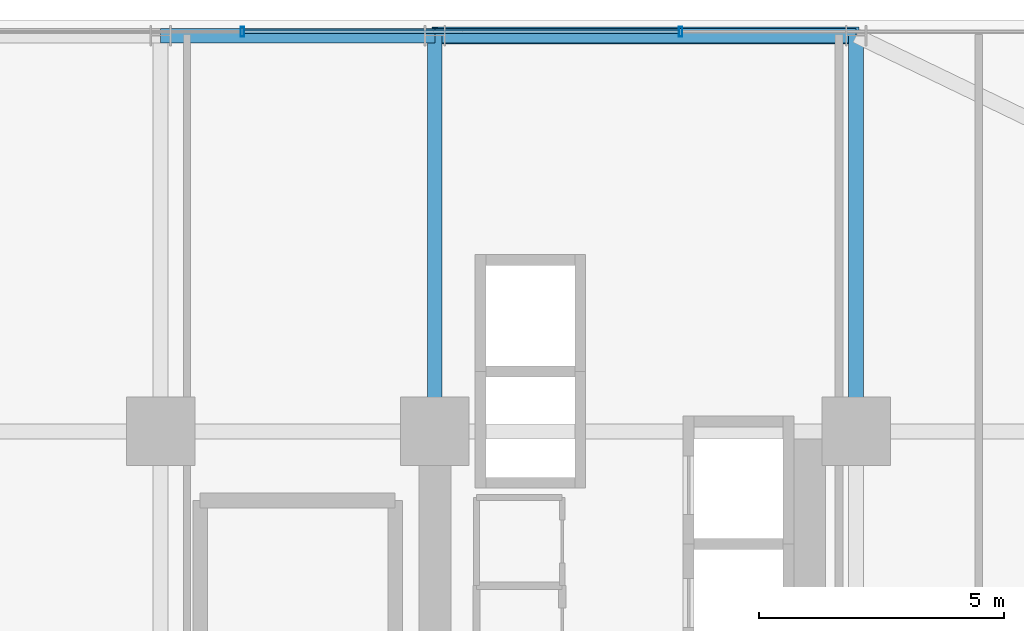
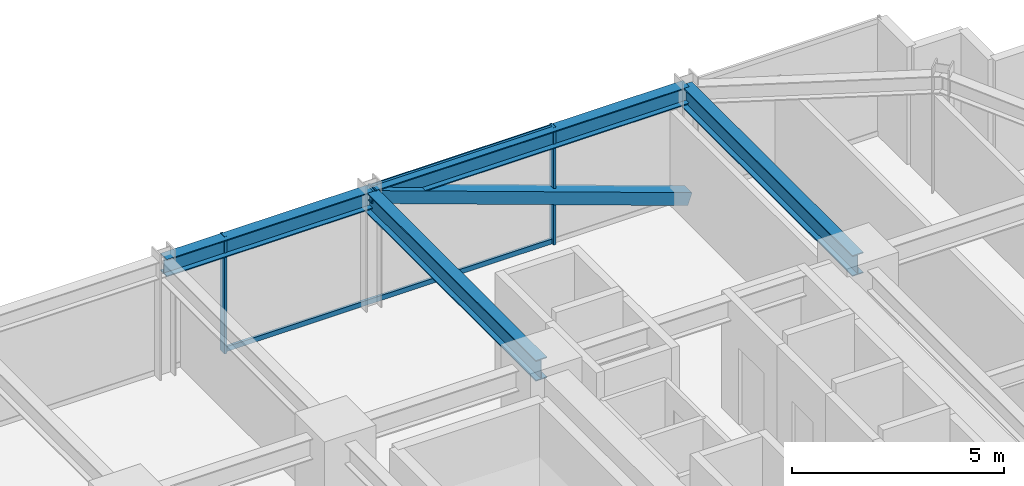
# One storey, part 28 of 38: 5 members, 4 beams, 1 element without a shape of its own.
"""IFC4 building model written with IfcOpenShell, lengths in metres."""

from ifc_helpers import new_model, si_unit, direction, frame, origin, origin_2d, place, context, subcontext, project, spatial, hollow_rectangle, i_section, extrude, source, transform, mapped, material, material_profile, profile_set, type_object, element, aggregate, save


model = new_model("IFC4")

# Units and contexts
model_context = context("Model", 3, precision=1e-05, world=origin(), true_north=direction((0.0, 1.0)))
body_context = subcontext(model_context, "Body", "Model", "MODEL_VIEW")
ifc_project = project(units=[si_unit("LENGTHUNIT", "METRE"), si_unit("AREAUNIT", "SQUARE_METRE"), si_unit("VOLUMEUNIT", "CUBIC_METRE"), si_unit("PLANEANGLEUNIT", "RADIAN"), si_unit("MASSUNIT", "GRAM", prefix="KILO")], contexts=[model_context])

# Site, building, storey
site_placement = place(None, origin())
site = spatial("IfcSite", under=ifc_project, at=site_placement, CompositionType="ELEMENT")
building_placement = place(site_placement, origin())
building = spatial("IfcBuilding", under=site, at=building_placement, Name="Nahalor Promenade Grand Hotel", CompositionType="ELEMENT")
storey_placement = place(building_placement, frame((0.0, 0.0, 50.64990234375)))
storey = spatial("IfcBuildingStorey", under=building, at=storey_placement, Name="L11", CompositionType="ELEMENT", Elevation=50.64990234375)

# Beams
ifc_material_1 = material(Name="Steel S355JR", Category="steel")
ifc_material_profile_1 = material_profile(ifc_material_1, i_section(OverallWidth=0.3, OverallDepth=0.5, WebThickness=0.0145, FlangeThickness=0.028, at=origin_2d()), Name="HEB 500")
ifc_profile_set_1 = profile_set([ifc_material_profile_1], Name="Steel S355JR")
beam_type_1 = type_object("IfcBeamType", Name="Beam-Spandrel-HEB500", PredefinedType="SPANDREL", material=ifc_profile_set_1)
shared_shape_1 = source(origin(), body_context, "Body", "SweptSolid", [
    extrude(i_section(OverallWidth=0.3, OverallDepth=0.5, WebThickness=0.0145, FlangeThickness=0.028, at=origin_2d()), origin(), (0.0, 0.0, 1.0), 8.60009765625),
])
beam_1_placement = place(storey_placement, frame((8.39990234375, 25.080078125, 3.1201171875), z_axis=(1.0, 0.0, 0.0), x_axis=(0.0, 1.0, 0.0)))
element("IfcBeam", 1, at=beam_1_placement, inside=storey, type_object=beam_type_1, Name="BM-L11-SP-N-4", PredefinedType="SPANDREL", context=body_context, shape_type="MappedRepresentation", body=[
    mapped(shared_shape_1, transform((0.0, 0.0, 0.0), scale=1.0)),
])
shared_shape_2 = source(origin(), body_context, "Body", "SweptSolid", [
    extrude(i_section(OverallWidth=0.3, OverallDepth=0.5, WebThickness=0.0145, FlangeThickness=0.028, at=origin_2d()), origin(), (0.0, 0.0, 1.0), 5.599853515625),
])
beam_2_placement = place(storey_placement, frame((2.800048828125, 25.080078125, 3.1201171875), z_axis=(1.0, 0.0, 0.0), x_axis=(0.0, 1.0, 0.0)))
element("IfcBeam", 2, at=beam_2_placement, inside=storey, type_object=beam_type_1, Name="BM-L11-SP-N-3", PredefinedType="SPANDREL", context=body_context, shape_type="MappedRepresentation", body=[
    mapped(shared_shape_2, transform((0.0, 0.0, 0.0), scale=1.0)),
])
ifc_material_profile_2 = material_profile(ifc_material_1, i_section(OverallWidth=0.3, OverallDepth=0.6, WebThickness=0.0155, FlangeThickness=0.03, at=origin_2d()), Name="HEB 600")
ifc_profile_set_2 = profile_set([ifc_material_profile_2], Name="Steel S355JR")
beam_type_2 = type_object("IfcBeamType", Name="Beam-Girder-HEB600", PredefinedType="BEAM", material=ifc_profile_set_2)
shared_shape_3 = source(origin(), body_context, "Body", "SweptSolid", [
    extrude(i_section(OverallWidth=0.3, OverallDepth=0.6, WebThickness=0.0155, FlangeThickness=0.03, at=origin_2d()), origin(), (0.0, 0.0, 1.0), 8.080078125),
])
for number, where, z_axis, x_axis, name in (
    (3, (8.39990234375, 17.0, 3.070068359375), (0.0, 1.0, 0.0), (-1.0, 0.0, 0.0), "BM-L11-GY-4-4"),
    (4, (17.0, 17.0, 3.070068359375), (0.0, 1.0, 0.0), (-1.0, 0.0, 0.0), "BM-L11-GY-5-4"),
):
    element("IfcBeam", number, at=place(storey_placement, frame(where, z_axis=z_axis, x_axis=x_axis)), inside=storey, type_object=beam_type_2, Name=name, PredefinedType="BEAM", context=body_context, shape_type="MappedRepresentation", body=[
        mapped(shared_shape_3, transform((0.0, 0.0, 0.0), scale=1.0)),
    ])

# Member
ifc_material_profile_3 = material_profile(ifc_material_1, hollow_rectangle(XDim=0.35, YDim=0.35, WallThickness=0.02, at=origin_2d()), Name="SHS 350x350x20")
ifc_profile_set_3 = profile_set([ifc_material_profile_3], Name="Steel S355JR")
member_type_1 = type_object("IfcMemberType", Name="Mem-VoidBrace-SHS350", PredefinedType="BRACE", material=ifc_profile_set_3)
shared_shape_4 = source(origin(), body_context, "Body", "SweptSolid", [
    extrude(hollow_rectangle(XDim=0.35, YDim=0.35, WallThickness=0.02, at=origin_2d()), origin(), (0.0, 0.0, 1.0), 9.131591796875),
])
member_1_placement = place(storey_placement, frame((17.0, 25.080078125, 0.150146484375), z_axis=(-0.941790292179, 0.0, 0.336200900589), x_axis=(0.0, -1.0, 0.0)))
element("IfcMember", 5, at=member_1_placement, inside=storey, type_object=member_type_1, Name="EXO-L11-N-1", PredefinedType="BRACE", context=body_context, shape_type="MappedRepresentation", body=[
    mapped(shared_shape_4, transform((0.0, 0.0, 0.0), scale=1.0)),
])

# Curtain wall, members
ifc_material_2 = material(Name="Anodised Bronze Aluminium EN AW-6063 T6", Category="aluminium")
curtain_wall_type = type_object("IfcCurtainWallType", Name="CW3 Elliptical-Void Collar Unitised Curtain Wall", PredefinedType="USERDEFINED", material=ifc_material_2)
curtain_wall_placement = place(storey_placement, origin())
curtain_wall = element("IfcCurtainWall", 6, at=curtain_wall_placement, inside=storey, type_object=curtain_wall_type, Name="L11 Curtain Wall CW-L11-N-1", ObjectType="UNITISED_CURTAIN_WALL", PredefinedType="USERDEFINED")
ifc_material_profile_4 = material_profile(ifc_material_2, hollow_rectangle(XDim=0.07, YDim=0.14, WallThickness=0.004, at=origin_2d()), Name="CWT 70x140x4")
ifc_profile_set_4 = profile_set([ifc_material_profile_4], Name="Anodised Bronze Aluminium EN AW-6063 T6")
member_type_2 = type_object("IfcMemberType", Name="CWT3 Void Collar Transom 70x140", PredefinedType="USERDEFINED", material=ifc_profile_set_4)
shared_shape_5 = source(origin(), body_context, "Body", "SweptSolid", [
    extrude(hollow_rectangle(XDim=0.07, YDim=0.14, WallThickness=0.004, at=origin_2d()), origin(), (0.0, 0.0, 1.0), 8.8740234375),
])
member_2_placement = place(storey_placement, frame((4.507080078125, 25.159912109375, 0.070068359375), z_axis=(1.0, 0.0, 0.0), x_axis=(0.0, 1.0, 0.0)))
member_2 = element("IfcMember", 7, at=member_2_placement, type_object=member_type_2, Name="CW-L11-N-1 Transom 3-0", ObjectType="TRANSOM", PredefinedType="USERDEFINED", context=body_context, shape_type="MappedRepresentation", body=[
    mapped(shared_shape_5, transform((0.0, 0.0, 0.0), scale=1.0)),
])
member_3_placement = place(storey_placement, frame((4.507080078125, 25.159912109375, 3.300048828125), z_axis=(1.0, 0.0, 0.0), x_axis=(0.0, 1.0, 0.0)))
member_3 = element("IfcMember", 8, at=member_3_placement, type_object=member_type_2, Name="CW-L11-N-1 Transom 3-1", ObjectType="TRANSOM", PredefinedType="USERDEFINED", context=body_context, shape_type="MappedRepresentation", body=[
    mapped(shared_shape_5, transform((0.0, 0.0, 0.0), scale=1.0)),
])
ifc_material_profile_5 = material_profile(ifc_material_2, hollow_rectangle(XDim=0.07, YDim=0.2, WallThickness=0.005, at=origin_2d()), Name="CWM 70x200x5")
ifc_profile_set_5 = profile_set([ifc_material_profile_5], Name="Anodised Bronze Aluminium EN AW-6063 T6")
member_type_3 = type_object("IfcMemberType", Name="CWM3 Void Collar Mullion 70x200", PredefinedType="MULLION", material=ifc_profile_set_5)
shared_shape_6 = source(origin(), body_context, "Body", "SweptSolid", [
    extrude(hollow_rectangle(XDim=0.07, YDim=0.2, WallThickness=0.005, at=origin_2d()), origin(), (0.0, 0.0, 1.0), 3.3701171875),
])
member_4_placement = place(storey_placement, frame((4.471923828125, 25.159912109375, 0.0), z_axis=(0.0, 0.0, 1.0), x_axis=(1.0, 0.0, 0.0)))
member_4 = element("IfcMember", 9, at=member_4_placement, type_object=member_type_3, Name="CW-L11-N-1 Mullion 3", PredefinedType="MULLION", context=body_context, shape_type="MappedRepresentation", body=[
    mapped(shared_shape_6, transform((0.0, 0.0, 0.0), scale=1.0)),
])
member_5_placement = place(storey_placement, frame((13.416015625, 25.159912109375, 0.0), z_axis=(0.0, 0.0, 1.0), x_axis=(1.0, 0.0, 0.0)))
member_5 = element("IfcMember", 10, at=member_5_placement, type_object=member_type_3, Name="CW-L11-N-1 Mullion 4", PredefinedType="MULLION", context=body_context, shape_type="MappedRepresentation", body=[
    mapped(shared_shape_6, transform((0.0, 0.0, 0.0), scale=1.0)),
])
aggregate(curtain_wall, [member_4, member_5, member_2, member_3])

save(model, "model.ifc")
